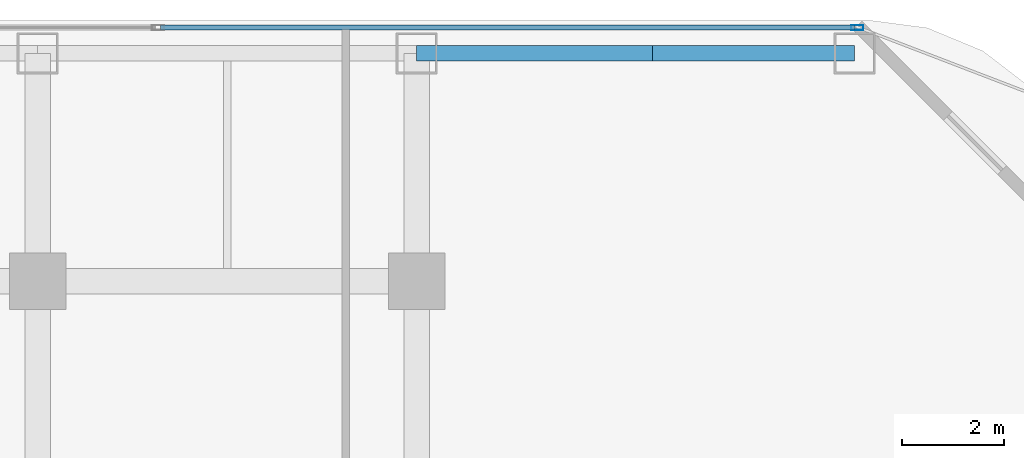
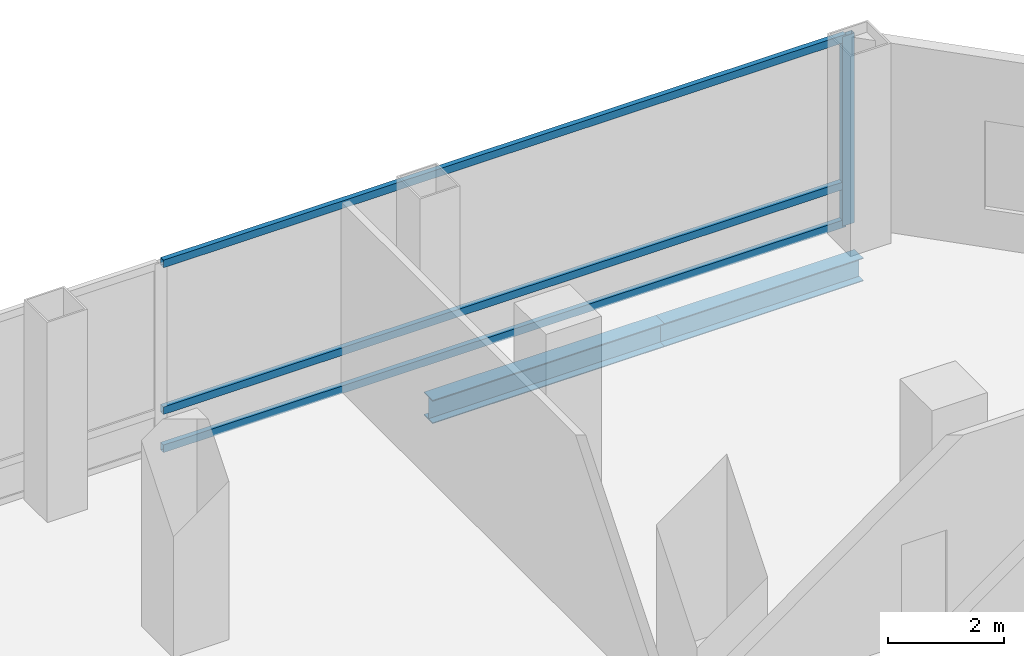
# One storey, part 19 of 29: 4 members, 2 beams, 1 element without a shape of its own.
"""IFC4 building model written with IfcOpenShell, lengths in metres."""

from ifc_helpers import new_model, si_unit, direction, frame, origin, origin_2d, place, context, subcontext, project, spatial, hollow_rectangle, i_section, extrude, material, layer, layer_set, material_profile, profile_set, type_object, element, aggregate, save


model = new_model("IFC4")

# Units and contexts
model_context = context("Model", 3, precision=1e-05, world=origin(), true_north=direction((0.0, 1.0)))
body_context = subcontext(model_context, "Body", "Model", "MODEL_VIEW")
ifc_project = project(units=[si_unit("LENGTHUNIT", "METRE"), si_unit("AREAUNIT", "SQUARE_METRE"), si_unit("VOLUMEUNIT", "CUBIC_METRE"), si_unit("PLANEANGLEUNIT", "RADIAN"), si_unit("MASSUNIT", "GRAM", prefix="KILO")], contexts=[model_context])

# Site, building, storey
site_placement = place(None, origin())
site = spatial("IfcSite", under=ifc_project, at=site_placement, CompositionType="ELEMENT")
building_placement = place(site_placement, origin())
building = spatial("IfcBuilding", under=site, at=building_placement, Name="Khorvyn Point Tower", CompositionType="ELEMENT")
storey_placement = place(building_placement, frame((0.0, 0.0, 26.39990234375)))
storey = spatial("IfcBuildingStorey", under=building, at=storey_placement, Name="L07", CompositionType="ELEMENT", Elevation=26.39990234375)

# Curtain wall, members
ifc_material_1 = material(Name="Anodised aluminium 6063-T6 and laminated Low-E glass", Category="aluminium")
ifc_layer = layer(ifc_material_1, 0.18994140625)
ifc_layer_set = layer_set([ifc_layer], Name="Stick-Built Finned Residential Curtain Wall CW-SYS-02")
curtain_wall_type = type_object("IfcCurtainWallType", Name="Stick-Built Finned Residential Curtain Wall CW-SYS-02", PredefinedType="NOTDEFINED", material=ifc_layer_set)
curtain_wall_placement = place(storey_placement, origin())
curtain_wall = element("IfcCurtainWall", 1, at=curtain_wall_placement, inside=storey, type_object=curtain_wall_type, Name="Curtain Wall", PredefinedType="NOTDEFINED")
ifc_material_2 = material(Name="Anodised aluminium 6063-T6", Category="aluminium")
ifc_material_profile_1 = material_profile(ifc_material_2, hollow_rectangle(XDim=0.10009765625, YDim=0.239990234375, WallThickness=0.0048828125, at=origin_2d()))
ifc_profile_set_1 = profile_set([ifc_material_profile_1], Name="Anodised aluminium 6063-T6 ALU-MUL-100x240")
member_type_1 = type_object("IfcMemberType", Name="Anodised Aluminium 6063-T6 Mullion ALU-MUL-100x240", PredefinedType="MULLION", material=ifc_profile_set_1)
member_1_placement = place(storey_placement, frame((23.39990234375, 25.050048828125, 0.0), z_axis=(0.0, 0.0, 1.0), x_axis=(0.0, 1.0, 0.0)))
member_1 = element("IfcMember", 2, at=member_1_placement, type_object=member_type_1, Name="Transom", PredefinedType="MULLION", context=body_context, shape_type="SweptSolid", body=[
    extrude(hollow_rectangle(XDim=0.10009765625, YDim=0.239990234375, WallThickness=0.0048828125, at=origin_2d()), origin(), (0.0, 0.0, 1.0), 3.97998046875),
])
ifc_material_profile_2 = material_profile(ifc_material_2, hollow_rectangle(XDim=0.10009765625, YDim=0.159912109375, WallThickness=0.00439453125, at=origin_2d()))
ifc_profile_set_2 = profile_set([ifc_material_profile_2], Name="Anodised aluminium 6063-T6 ALU-TRN-100x160")
member_type_2 = type_object("IfcMemberType", Name="Anodised Aluminium 6063-T6 Transom ALU-TRN-100x160", PredefinedType="USERDEFINED", material=ifc_profile_set_2)
member_2_placement = place(storey_placement, frame((9.800048828125, 25.050048828125, 0.050048828125), z_axis=(1.0, 0.0, 0.0), x_axis=(0.0, 1.0, 0.0)))
member_2 = element("IfcMember", 3, at=member_2_placement, type_object=member_type_2, Name="Transom", ObjectType="TRANSOM", PredefinedType="USERDEFINED", context=body_context, shape_type="SweptSolid", body=[
    extrude(hollow_rectangle(XDim=0.10009765625, YDim=0.159912109375, WallThickness=0.00439453125, at=origin_2d()), origin(), (0.0, 0.0, 1.0), 13.550048828125),
])
member_3_placement = place(storey_placement, frame((9.800048828125, 25.050048828125, 0.85009765625), z_axis=(1.0, 0.0, 0.0), x_axis=(0.0, 1.0, 0.0)))
member_3 = element("IfcMember", 4, at=member_3_placement, type_object=member_type_2, Name="Transom", ObjectType="TRANSOM", PredefinedType="USERDEFINED", context=body_context, shape_type="SweptSolid", body=[
    extrude(hollow_rectangle(XDim=0.10009765625, YDim=0.159912109375, WallThickness=0.00439453125, at=origin_2d()), origin(), (0.0, 0.0, 1.0), 13.550048828125),
])
member_4_placement = place(storey_placement, frame((9.800048828125, 25.050048828125, 3.93017578125), z_axis=(1.0, 0.0, 0.0), x_axis=(0.0, 1.0, 0.0)))
member_4 = element("IfcMember", 5, at=member_4_placement, type_object=member_type_2, Name="Transom", ObjectType="TRANSOM", PredefinedType="USERDEFINED", context=body_context, shape_type="SweptSolid", body=[
    extrude(hollow_rectangle(XDim=0.10009765625, YDim=0.159912109375, WallThickness=0.00439453125, at=origin_2d()), origin(), (0.0, 0.0, 1.0), 13.550048828125),
])
aggregate(curtain_wall, [member_1, member_2, member_3, member_4])

# Beams
ifc_material_3 = material(Name="Steel S355", Category="steel")
ifc_material_profile_3 = material_profile(ifc_material_3, i_section(OverallWidth=0.300048828125, OverallDepth=0.488037109375, WebThickness=0.010986328125, FlangeThickness=0.01806640625, at=origin_2d()))
ifc_profile_set_3 = profile_set([ifc_material_profile_3], Name="Steel S355 H488x300x11x18")
beam_type = type_object("IfcBeamType", Name="Steel S355 Spandrel H488x300x11x18", PredefinedType="SPANDREL", material=ifc_profile_set_3)
beam_1_placement = place(storey_placement, frame((14.800048828125, 24.550048828125, -0.56396484375), z_axis=(1.0, 0.0, 0.0), x_axis=(0.0, 1.0, 0.0)))
element("IfcBeam", 6, at=beam_1_placement, inside=storey, type_object=beam_type, Name="Beam", PredefinedType="SPANDREL", context=body_context, shape_type="SweptSolid", body=[
    extrude(i_section(OverallWidth=0.300048828125, OverallDepth=0.488037109375, WebThickness=0.010986328125, FlangeThickness=0.01806640625, at=origin_2d()), origin(), (0.0, 0.0, 1.0), 4.599853515625),
])
beam_2_placement = place(storey_placement, frame((19.39990234375, 24.550048828125, -0.56396484375), z_axis=(1.0, 0.0, 0.0), x_axis=(0.0, 1.0, 0.0)))
element("IfcBeam", 7, at=beam_2_placement, inside=storey, type_object=beam_type, Name="Beam", PredefinedType="SPANDREL", context=body_context, shape_type="SweptSolid", body=[
    extrude(i_section(OverallWidth=0.300048828125, OverallDepth=0.488037109375, WebThickness=0.010986328125, FlangeThickness=0.01806640625, at=origin_2d()), origin(), (0.0, 0.0, 1.0), 3.9501953125),
])

save(model, "model.ifc")
